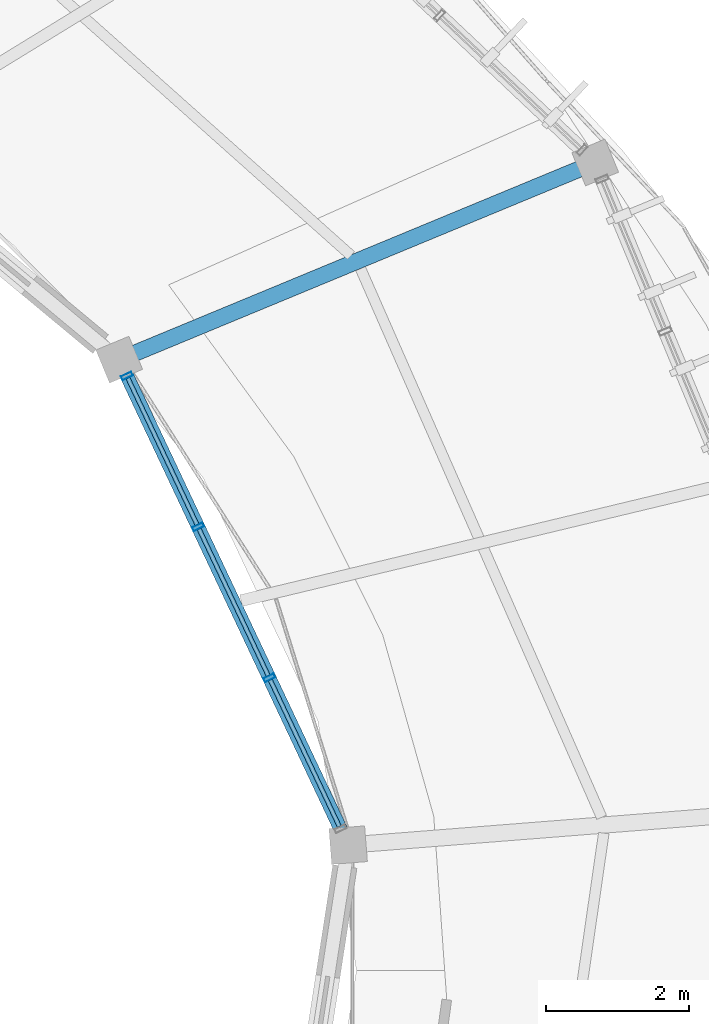
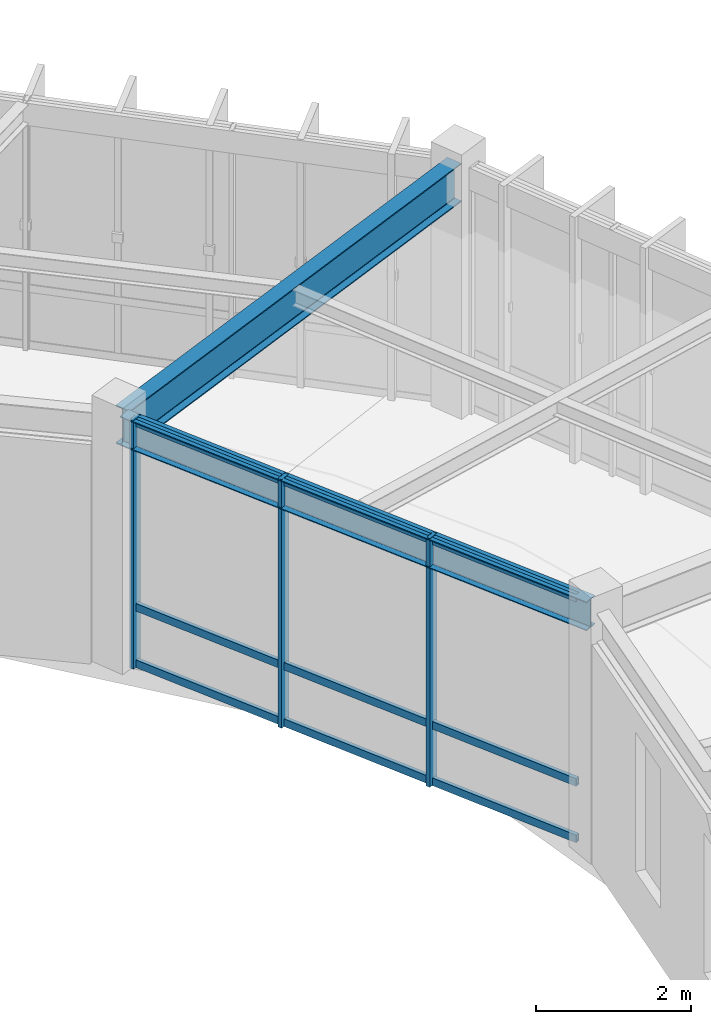
# One storey, part 54 of 78: 12 members, 2 beams, 1 element without a shape of its own.
"""IFC4 building model written with IfcOpenShell, lengths in metres."""

from ifc_helpers import new_model, si_unit, direction, frame, origin, origin_2d, place, context, subcontext, project, spatial, hollow_rectangle, i_section, extrude, material, material_profile, profile_set, type_object, element, aggregate, save


model = new_model("IFC4")

# Units and contexts
model_context = context("Model", 3, precision=1e-05, world=origin(), true_north=direction((0.0, 1.0)))
body_context = subcontext(model_context, "Body", "Model", "MODEL_VIEW")
ifc_project = project(units=[si_unit("LENGTHUNIT", "METRE"), si_unit("AREAUNIT", "SQUARE_METRE"), si_unit("VOLUMEUNIT", "CUBIC_METRE"), si_unit("PLANEANGLEUNIT", "RADIAN"), si_unit("MASSUNIT", "GRAM", prefix="KILO"), si_unit("THERMODYNAMICTEMPERATUREUNIT", "KELVIN"), si_unit("POWERUNIT", "WATT")], contexts=[model_context])

# Site, building, storey
site_placement = place(None, origin())
site = spatial("IfcSite", under=ifc_project, at=site_placement, CompositionType="ELEMENT")
building_placement = place(site_placement, origin())
building = spatial("IfcBuilding", under=site, at=building_placement, Name="Darbajah Civic Hall", CompositionType="ELEMENT")
storey_placement = place(building_placement, frame((0.0, 0.0, 26.39990234375)))
storey = spatial("IfcBuildingStorey", under=building, at=storey_placement, Name="L06", CompositionType="ELEMENT", Elevation=26.39990234375)

# Curtain wall, members
ifc_material_1 = material(Name="Anodised Bronze Aluminium and Low-E Glazing", Category="aluminium")
curtain_wall_type = type_object("IfcCurtainWallType", Name="Unitised Curtain Wall CW-78 7000x3900", PredefinedType="USERDEFINED", material=ifc_material_1)
curtain_wall_placement = place(storey_placement, origin())
curtain_wall = element("IfcCurtainWall", 1, at=curtain_wall_placement, inside=storey, type_object=curtain_wall_type, Name="L06 unitised curtain wall CW-V1I-L06-00", ObjectType="UNITISED CURTAIN WALL", PredefinedType="USERDEFINED")
ifc_material_2 = material(Name="Anodised Bronze Aluminium", Category="aluminium")
ifc_material_profile_1 = material_profile(ifc_material_2, hollow_rectangle(XDim=0.06005859375, YDim=0.159912109375, WallThickness=0.00341796875, at=origin_2d()), Name="ALU MULLION 60x160")
ifc_profile_set_1 = profile_set([ifc_material_profile_1], Name="Anodised Bronze Aluminium")
member_type_1 = type_object("IfcMemberType", Name="ALU MULLION 60x160", PredefinedType="MULLION", material=ifc_profile_set_1)
member_1_placement = place(storey_placement, frame((131.662841796875, 93.886962890625, 0.0), z_axis=(0.0, 0.0, 1.0), x_axis=(-0.426568739901, 0.904455145454, 0.0)))
member_1 = element("IfcMember", 2, at=member_1_placement, type_object=member_type_1, Name="CW-V1I-L06-00 mullion 2", PredefinedType="MULLION", context=body_context, shape_type="SweptSolid", body=[
    extrude(hollow_rectangle(XDim=0.06005859375, YDim=0.159912109375, WallThickness=0.00341796875, at=origin_2d()), origin(), (0.0, 0.0, 1.0), 3.920166015625),
])
member_2_placement = place(storey_placement, frame((130.668212890625, 95.996337890625, 0.0), z_axis=(0.0, 0.0, 1.0), x_axis=(-0.426568739901, 0.904455145454, 0.0)))
member_2 = element("IfcMember", 3, at=member_2_placement, type_object=member_type_1, Name="CW-V1I-L06-00 mullion 3", PredefinedType="MULLION", context=body_context, shape_type="SweptSolid", body=[
    extrude(hollow_rectangle(XDim=0.06005859375, YDim=0.159912109375, WallThickness=0.00341796875, at=origin_2d()), origin(), (0.0, 0.0, 1.0), 3.920166015625),
])
member_3_placement = place(storey_placement, frame((129.67333984375, 98.10595703125, 0.0), z_axis=(0.0, 0.0, 1.0), x_axis=(-0.426568739901, 0.904455145454, 0.0)))
member_3 = element("IfcMember", 4, at=member_3_placement, type_object=member_type_1, Name="CW-V1I-L06-00 mullion 4", PredefinedType="MULLION", context=body_context, shape_type="SweptSolid", body=[
    extrude(hollow_rectangle(XDim=0.06005859375, YDim=0.159912109375, WallThickness=0.00341796875, at=origin_2d()), origin(), (0.0, 0.0, 1.0), 3.920166015625),
])
ifc_material_profile_2 = material_profile(ifc_material_2, hollow_rectangle(XDim=0.06005859375, YDim=0.1201171875, WallThickness=0.003173828125, at=origin_2d()), Name="ALU TRANSOM 60x120")
ifc_profile_set_2 = profile_set([ifc_material_profile_2], Name="Anodised Bronze Aluminium")
member_type_2 = type_object("IfcMemberType", Name="ALU TRANSOM 60x120", PredefinedType="USERDEFINED", material=ifc_profile_set_2)
member_4_placement = place(storey_placement, frame((132.642578125, 91.80908203125, 0.06005859375), z_axis=(-0.426503743016, 0.904485797121, 0.0), x_axis=(-0.904485797121, -0.426503743016, 0.0)))
member_4 = element("IfcMember", 5, at=member_4_placement, type_object=member_type_2, Name="CW-V1I-L06-00 transom 1.1", ObjectType="TRANSOM", PredefinedType="USERDEFINED", context=body_context, shape_type="SweptSolid", body=[
    extrude(hollow_rectangle(XDim=0.06005859375, YDim=0.1201171875, WallThickness=0.003173828125, at=origin_2d()), origin(), (0.0, 0.0, 1.0), 2.26220703125),
])
member_5_placement = place(storey_placement, frame((132.642578125, 91.80908203125, 0.9501953125), z_axis=(-0.426503743016, 0.904485797121, 0.0), x_axis=(-0.904485797121, -0.426503743016, 0.0)))
member_5 = element("IfcMember", 6, at=member_5_placement, type_object=member_type_2, Name="CW-V1I-L06-00 transom 1.2", ObjectType="TRANSOM", PredefinedType="USERDEFINED", context=body_context, shape_type="SweptSolid", body=[
    extrude(hollow_rectangle(XDim=0.06005859375, YDim=0.1201171875, WallThickness=0.003173828125, at=origin_2d()), origin(), (0.0, 0.0, 1.0), 2.26220703125),
])
member_6_placement = place(storey_placement, frame((132.642578125, 91.80908203125, 3.860107421875), z_axis=(-0.426503743016, 0.904485797121, 0.0), x_axis=(-0.904485797121, -0.426503743016, 0.0)))
member_6 = element("IfcMember", 7, at=member_6_placement, type_object=member_type_2, Name="CW-V1I-L06-00 transom 1.3", ObjectType="TRANSOM", PredefinedType="USERDEFINED", context=body_context, shape_type="SweptSolid", body=[
    extrude(hollow_rectangle(XDim=0.06005859375, YDim=0.1201171875, WallThickness=0.003173828125, at=origin_2d()), origin(), (0.0, 0.0, 1.0), 2.26220703125),
])
member_7_placement = place(storey_placement, frame((131.64794921875, 93.918701171875, 0.06005859375), z_axis=(-0.426503743016, 0.904485797121, 0.0), x_axis=(-0.904485797121, -0.426503743016, 0.0)))
member_7 = element("IfcMember", 8, at=member_7_placement, type_object=member_type_2, Name="CW-V1I-L06-00 transom 2.1", ObjectType="TRANSOM", PredefinedType="USERDEFINED", context=body_context, shape_type="SweptSolid", body=[
    extrude(hollow_rectangle(XDim=0.06005859375, YDim=0.1201171875, WallThickness=0.003173828125, at=origin_2d()), origin(), (0.0, 0.0, 1.0), 2.26220703125),
])
member_8_placement = place(storey_placement, frame((131.64794921875, 93.918701171875, 0.9501953125), z_axis=(-0.426503743016, 0.904485797121, 0.0), x_axis=(-0.904485797121, -0.426503743016, 0.0)))
member_8 = element("IfcMember", 9, at=member_8_placement, type_object=member_type_2, Name="CW-V1I-L06-00 transom 2.2", ObjectType="TRANSOM", PredefinedType="USERDEFINED", context=body_context, shape_type="SweptSolid", body=[
    extrude(hollow_rectangle(XDim=0.06005859375, YDim=0.1201171875, WallThickness=0.003173828125, at=origin_2d()), origin(), (0.0, 0.0, 1.0), 2.26220703125),
])
member_9_placement = place(storey_placement, frame((131.64794921875, 93.918701171875, 3.860107421875), z_axis=(-0.426503743016, 0.904485797121, 0.0), x_axis=(-0.904485797121, -0.426503743016, 0.0)))
member_9 = element("IfcMember", 10, at=member_9_placement, type_object=member_type_2, Name="CW-V1I-L06-00 transom 2.3", ObjectType="TRANSOM", PredefinedType="USERDEFINED", context=body_context, shape_type="SweptSolid", body=[
    extrude(hollow_rectangle(XDim=0.06005859375, YDim=0.1201171875, WallThickness=0.003173828125, at=origin_2d()), origin(), (0.0, 0.0, 1.0), 2.26220703125),
])
member_10_placement = place(storey_placement, frame((130.6533203125, 96.028076171875, 0.06005859375), z_axis=(-0.426592026493, 0.904444162418, 0.0), x_axis=(-0.904444162418, -0.426592026493, 0.0)))
member_10 = element("IfcMember", 11, at=member_10_placement, type_object=member_type_2, Name="CW-V1I-L06-00 transom 3.1", ObjectType="TRANSOM", PredefinedType="USERDEFINED", context=body_context, shape_type="SweptSolid", body=[
    extrude(hollow_rectangle(XDim=0.06005859375, YDim=0.1201171875, WallThickness=0.003173828125, at=origin_2d()), origin(), (0.0, 0.0, 1.0), 2.26220703125),
])
member_11_placement = place(storey_placement, frame((130.6533203125, 96.028076171875, 0.9501953125), z_axis=(-0.426592026493, 0.904444162418, 0.0), x_axis=(-0.904444162418, -0.426592026493, 0.0)))
member_11 = element("IfcMember", 12, at=member_11_placement, type_object=member_type_2, Name="CW-V1I-L06-00 transom 3.2", ObjectType="TRANSOM", PredefinedType="USERDEFINED", context=body_context, shape_type="SweptSolid", body=[
    extrude(hollow_rectangle(XDim=0.06005859375, YDim=0.1201171875, WallThickness=0.003173828125, at=origin_2d()), origin(), (0.0, 0.0, 1.0), 2.26220703125),
])
member_12_placement = place(storey_placement, frame((130.6533203125, 96.028076171875, 3.860107421875), z_axis=(-0.426592026493, 0.904444162418, 0.0), x_axis=(-0.904444162418, -0.426592026493, 0.0)))
member_12 = element("IfcMember", 13, at=member_12_placement, type_object=member_type_2, Name="CW-V1I-L06-00 transom 3.3", ObjectType="TRANSOM", PredefinedType="USERDEFINED", context=body_context, shape_type="SweptSolid", body=[
    extrude(hollow_rectangle(XDim=0.06005859375, YDim=0.1201171875, WallThickness=0.003173828125, at=origin_2d()), origin(), (0.0, 0.0, 1.0), 2.26220703125),
])
aggregate(curtain_wall, [member_1, member_2, member_3, member_4, member_5, member_6, member_7, member_8, member_9, member_10, member_11, member_12])

# Beams
ifc_material_3 = material(Name="Steel S355JR", Category="steel")
ifc_material_profile_3 = material_profile(ifc_material_3, i_section(OverallWidth=0.1904296875, OverallDepth=0.45703125, WebThickness=0.009033203125, FlangeThickness=0.014404296875, FilletRadius=0.01025390625, at=origin_2d()), Name="UB 457x191x74")
ifc_profile_set_3 = profile_set([ifc_material_profile_3], Name="Steel S355JR")
beam_type_1 = type_object("IfcBeamType", Name="UB 457x191x74", PredefinedType="BEAM", material=ifc_profile_set_3)
beam_1_placement = place(storey_placement, frame((132.73095703125, 91.6220703125, 3.691650390625), z_axis=(-0.426514469485, 0.904480739054, 0.0), x_axis=(-0.904480739054, -0.426514469485, 0.0)))
element("IfcBeam", 14, at=beam_1_placement, inside=storey, type_object=beam_type_1, Name="L06 beam SB-457", PredefinedType="BEAM", context=body_context, shape_type="SweptSolid", body=[
    extrude(i_section(OverallWidth=0.1904296875, OverallDepth=0.45703125, WebThickness=0.009033203125, FlangeThickness=0.014404296875, FilletRadius=0.01025390625, at=origin_2d()), origin(), (0.0, 0.0, 1.0), 7.340576171875),
])
ifc_material_profile_4 = material_profile(ifc_material_3, i_section(OverallWidth=0.228271484375, OverallDepth=0.607666015625, WebThickness=0.010986328125, FlangeThickness=0.017333984375, FilletRadius=0.0126953125, at=origin_2d()), Name="UB 610x229x113")
ifc_profile_set_4 = profile_set([ifc_material_profile_4], Name="Steel S355JR")
beam_type_2 = type_object("IfcBeamType", Name="UB 610x229x113", PredefinedType="BEAM", material=ifc_profile_set_4)
beam_2_placement = place(storey_placement, frame((129.639892578125, 98.364501953125, 3.6162109375), z_axis=(0.923880311259, 0.382681552297, 0.0), x_axis=(-0.382681552297, 0.923880311259, 0.0)))
element("IfcBeam", 15, at=beam_2_placement, inside=storey, type_object=beam_type_2, Name="L06 beam SB-610", PredefinedType="BEAM", context=body_context, shape_type="SweptSolid", body=[
    extrude(i_section(OverallWidth=0.228271484375, OverallDepth=0.607666015625, WebThickness=0.010986328125, FlangeThickness=0.017333984375, FilletRadius=0.0126953125, at=origin_2d()), origin(), (0.0, 0.0, 1.0), 7.0400390625),
])

save(model, "model.ifc")
